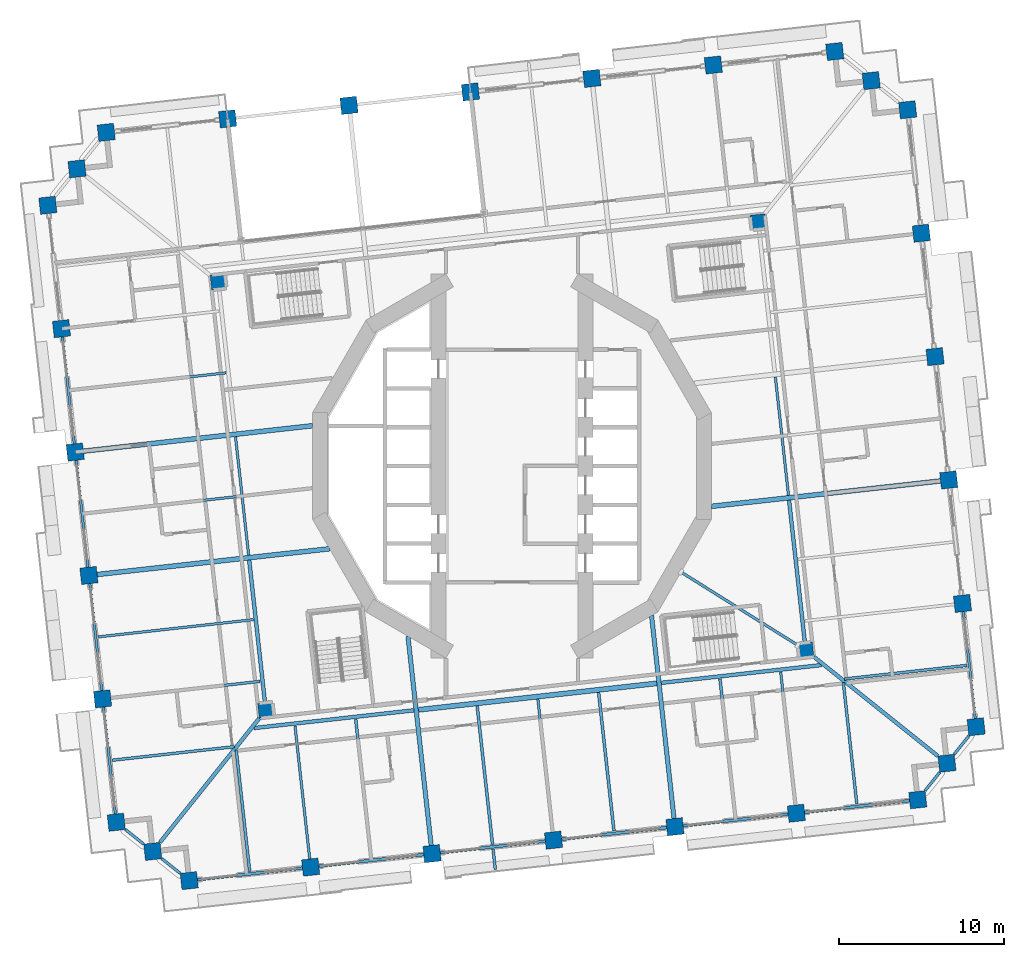
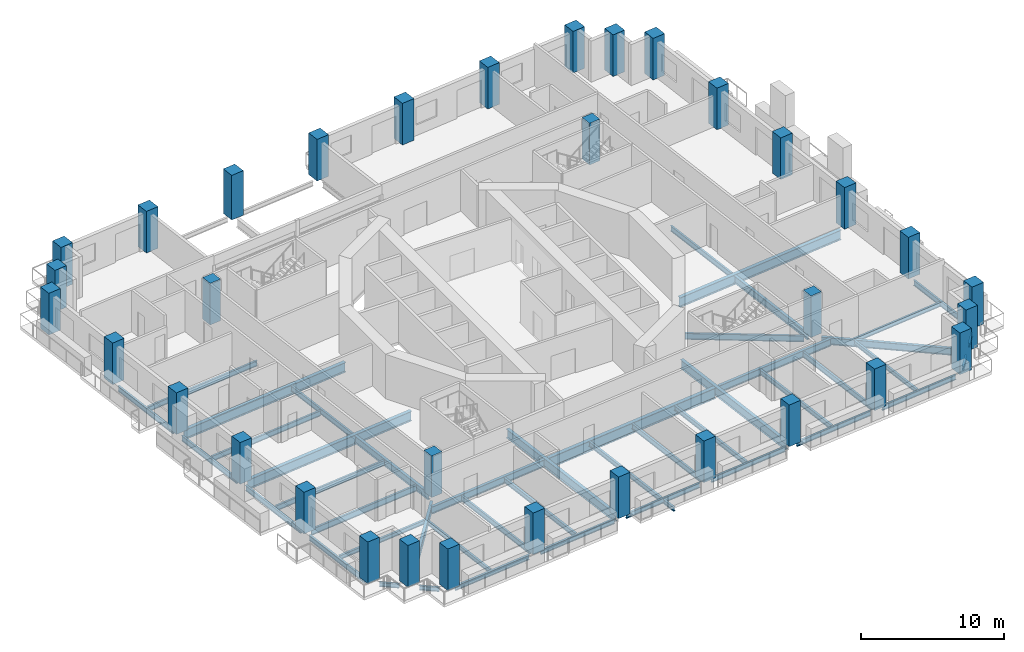
# One storey, part 1 of 21: 46 beams, 34 columns.
"""IFC4 building model written with IfcOpenShell, lengths in metres."""

from ifc_helpers import new_model, si_unit, direction, frame, origin, origin_2d, place, context, subcontext, project, spatial, rectangle, i_section, extrude, material, material_profile, profile_set, type_object, element, save


model = new_model("IFC4")

# Units and contexts
model_context = context("Model", 3, precision=1e-05, world=origin(), true_north=direction((0.0, 1.0)))
body_context = subcontext(model_context, "Body", "Model", "MODEL_VIEW")
ifc_project = project(units=[si_unit("LENGTHUNIT", "METRE"), si_unit("AREAUNIT", "SQUARE_METRE"), si_unit("VOLUMEUNIT", "CUBIC_METRE"), si_unit("PLANEANGLEUNIT", "RADIAN"), si_unit("MASSUNIT", "GRAM", prefix="KILO")], contexts=[model_context])

# Site, building, storey
site_placement = place(None, origin())
site = spatial("IfcSite", under=ifc_project, at=site_placement, CompositionType="ELEMENT")
building_placement = place(site_placement, origin())
building = spatial("IfcBuilding", under=site, at=building_placement, Name="Cantera Rosa Tower", CompositionType="ELEMENT")
storey_placement = place(building_placement, frame((0.0, 0.0, 57.699951171875)))
storey = spatial("IfcBuildingStorey", under=building, at=storey_placement, Name="L11", CompositionType="ELEMENT", Elevation=57.699951171875)

# Columns
ifc_material_1 = material(Name="Concrete C70/85", Category="concrete")
ifc_material_profile_1 = material_profile(ifc_material_1, rectangle(XDim=1.0, YDim=1.0, at=origin_2d()), Name="RC COLUMN RC1000X1000 C70/85")
ifc_profile_set_1 = profile_set([ifc_material_profile_1], Name="Concrete C70/85")
column_type_1 = type_object("IfcColumnType", Name="RC COLUMN RC1000X1000 C70/85", PredefinedType="COLUMN", material=ifc_profile_set_1)
for number, where, z_axis, x_axis, name in (
    (1, (28.114013671875, -15.795166015625, 0.0), (0.0, 0.0, 1.0), (0.993896946415, 0.110312555526, 0.0), "C-Z1-01 L11"),
    (2, (27.284423828125, -8.321044921875, 0.0), (0.0, 0.0, 1.0), (0.993896946415, 0.110312555526, 0.0), "C-Z1-02 L11"),
    (3, (26.454833984375, -0.846923828125, 0.0), (0.0, 0.0, 1.0), (0.993896946415, 0.110312555526, 0.0), "C-Z1-03 L11"),
    (4, (25.625244140625, 6.627197265625, 0.0), (0.0, 0.0, 1.0), (0.993896946415, 0.110312555526, 0.0), "C-Z1-04 L11"),
    (5, (24.795654296875, 14.101318359375, 0.0), (0.0, 0.0, 1.0), (0.993896946415, 0.110312555526, 0.0), "C-Z1-05 L11"),
    (6, (23.96630859375, 21.575439453125, 0.0), (0.0, 0.0, 1.0), (0.993896946415, 0.110312555526, 0.0), "C-Z1-06 L11"),
    (7, (21.7578125, 23.342529296875, 0.0), (0.0, 0.0, 1.0), (0.993896946415, 0.110312555526, 0.0), "C-Z1-07 L11"),
    (8, (19.54931640625, 25.10986328125, 0.0), (0.0, 0.0, 1.0), (0.993896946415, 0.110312555526, 0.0), "C-Z1-08 L11"),
    (9, (12.194580078125, 24.29345703125, 0.0), (0.0, 0.0, 1.0), (0.993896946415, 0.110312555526, 0.0), "C-Z1-09 L11"),
    (10, (4.839599609375, 23.47705078125, 0.0), (0.0, 0.0, 1.0), (0.993896946415, 0.110312555526, 0.0), "C-Z1-10 L11"),
    (11, (-2.51513671875, 22.660888671875, 0.0), (0.0, 0.0, 1.0), (0.993896946415, 0.110312555526, 0.0), "C-Z1-11 L11"),
):
    element("IfcColumn", number, at=place(storey_placement, frame(where, z_axis=z_axis, x_axis=x_axis)), inside=storey, type_object=column_type_1, Name=name, PredefinedType="COLUMN", context=body_context, shape_type="SweptSolid", body=[
        extrude(rectangle(XDim=1.0, YDim=1.0, at=origin_2d()), origin(), (0.0, 0.0, 1.0), 3.550048828125),
    ])
column_placement = place(storey_placement, frame((-9.869873046875, 21.844482421875, -0.25), z_axis=(0.0, 0.0, 1.0), x_axis=(0.993896946415, 0.110312555526, 0.0)))
element("IfcColumn", 12, at=column_placement, inside=storey, type_object=column_type_1, Name="C-Z1-12 L11", PredefinedType="COLUMN", context=body_context, shape_type="SweptSolid", body=[
    extrude(rectangle(XDim=1.0, YDim=1.0, at=origin_2d()), origin(), (0.0, 0.0, 1.0), 3.800048828125),
])
for number, where, z_axis, x_axis, name in (
    (13, (-17.224853515625, 21.0283203125, 0.0), (0.0, 0.0, 1.0), (0.993896946415, 0.110312555526, 0.0), "C-Z1-13 L11"),
    (14, (-24.57958984375, 20.2119140625, 0.0), (0.0, 0.0, 1.0), (0.993896946415, 0.110312555526, 0.0), "C-Z1-14 L11"),
    (15, (-26.346923828125, 18.00341796875, 0.0), (0.0, 0.0, 1.0), (0.993896946415, 0.110312555526, 0.0), "C-Z1-15 L11"),
    (16, (-28.114013671875, 15.795166015625, 0.0), (0.0, 0.0, 1.0), (0.993896946415, 0.110312555526, 0.0), "C-Z1-16 L11"),
    (17, (-27.284423828125, 8.321044921875, 0.0), (0.0, 0.0, 1.0), (0.993896946415, 0.110312555526, 0.0), "C-Z1-17 L11"),
    (18, (-26.454833984375, 0.846923828125, 0.0), (0.0, 0.0, 1.0), (0.993896946415, 0.110312555526, 0.0), "C-Z1-18 L11"),
    (19, (-25.625244140625, -6.627197265625, 0.0), (0.0, 0.0, 1.0), (0.993896946415, 0.110312555526, 0.0), "C-Z1-19 L11"),
    (20, (-24.795654296875, -14.101318359375, 0.0), (0.0, 0.0, 1.0), (0.993896946415, 0.110312555526, 0.0), "C-Z1-20 L11"),
    (21, (-23.96630859375, -21.575439453125, 0.0), (0.0, 0.0, 1.0), (0.993896946415, 0.110312555526, 0.0), "C-Z1-21 L11"),
    (22, (-21.7578125, -23.342529296875, 0.0), (0.0, 0.0, 1.0), (0.993896946415, 0.110312555526, 0.0), "C-Z1-22 L11"),
    (23, (-19.54931640625, -25.10986328125, 0.0), (0.0, 0.0, 1.0), (0.993896946415, 0.110312555526, 0.0), "C-Z1-23 L11"),
    (24, (-12.194580078125, -24.29345703125, 0.0), (0.0, 0.0, 1.0), (0.993896946415, 0.110312555526, 0.0), "C-Z1-24 L11"),
    (25, (-4.839599609375, -23.47705078125, 0.0), (0.0, 0.0, 1.0), (0.993896946415, 0.110312555526, 0.0), "C-Z1-25 L11"),
    (26, (2.51513671875, -22.660888671875, 0.0), (0.0, 0.0, 1.0), (0.993896946415, 0.110312555526, 0.0), "C-Z1-26 L11"),
    (27, (9.869873046875, -21.844482421875, 0.0), (0.0, 0.0, 1.0), (0.993896946415, 0.110312555526, 0.0), "C-Z1-27 L11"),
    (28, (17.224853515625, -21.0283203125, 0.0), (0.0, 0.0, 1.0), (0.993896946415, 0.110312555526, 0.0), "C-Z1-28 L11"),
    (29, (24.57958984375, -20.2119140625, 0.0), (0.0, 0.0, 1.0), (0.993896946415, 0.110312555526, 0.0), "C-Z1-29 L11"),
    (30, (26.346923828125, -18.00341796875, 0.0), (0.0, 0.0, 1.0), (0.993896946415, 0.110312555526, 0.0), "C-Z1-30 L11"),
):
    element("IfcColumn", number, at=place(storey_placement, frame(where, z_axis=z_axis, x_axis=x_axis)), inside=storey, type_object=column_type_1, Name=name, PredefinedType="COLUMN", context=body_context, shape_type="SweptSolid", body=[
        extrude(rectangle(XDim=1.0, YDim=1.0, at=origin_2d()), origin(), (0.0, 0.0, 1.0), 3.550048828125),
    ])
ifc_material_2 = material(Name="Concrete C70/85", Category="concrete")
ifc_material_profile_2 = material_profile(ifc_material_2, rectangle(XDim=0.89990234375, YDim=0.89990234375, at=origin_2d()), Name="RC RING COLUMN RC900X900 C70/85")
ifc_profile_set_2 = profile_set([ifc_material_profile_2], Name="Concrete C70/85")
column_type_2 = type_object("IfcColumnType", Name="RC RING COLUMN RC900X900 C70/85", PredefinedType="COLUMN", material=ifc_profile_set_2)
for number, where, z_axis, x_axis, name in (
    (31, (14.909912109375, 14.784912109375, 0.0), (0.0, 0.0, 1.0), (0.993896946415, 0.110312555526, 0.0), "CI-Z1-1 L11"),
    (32, (-17.7890625, 11.15576171875, 0.0), (0.0, 0.0, 1.0), (0.993896946415, 0.110312555526, 0.0), "CI-Z1-2 L11"),
    (33, (-14.909912109375, -14.784912109375, 0.0), (0.0, 0.0, 1.0), (0.993896946415, 0.110312555526, 0.0), "CI-Z1-3 L11"),
    (34, (17.7890625, -11.15576171875, 0.0), (0.0, 0.0, 1.0), (0.993896946415, 0.110312555526, 0.0), "CI-Z1-4 L11"),
):
    element("IfcColumn", number, at=place(storey_placement, frame(where, z_axis=z_axis, x_axis=x_axis)), inside=storey, type_object=column_type_2, Name=name, PredefinedType="COLUMN", context=body_context, shape_type="SweptSolid", body=[
        extrude(rectangle(XDim=0.89990234375, YDim=0.89990234375, at=origin_2d()), origin(), (0.0, 0.0, 1.0), 3.550048828125),
    ])

# Beams
ifc_material_3 = material(Name="Steel ASTM A992 (Fy 345 MPa)", Category="steel")
ifc_material_profile_3 = material_profile(ifc_material_3, i_section(OverallWidth=0.154052734375, OverallDepth=0.4599609375, WebThickness=0.009033203125, FlangeThickness=0.015380859375, FilletRadius=0.01025390625, at=origin_2d()), Name="W460X68")
ifc_profile_set_3 = profile_set([ifc_material_profile_3], Name="Steel ASTM A992 (Fy 345 MPa)")
beam_type_1 = type_object("IfcBeamType", Name="STEEL BEAM W460X68", PredefinedType="BEAM", material=ifc_profile_set_3)
beam_1_placement = place(storey_placement, frame((-12.249755859375, -23.796630859375, -0.47998046875), z_axis=(-0.110312435488, 0.993896959738, 0.0), x_axis=(-0.993896959738, -0.110312435488, 0.0)))
element("IfcBeam", 35, at=beam_1_placement, inside=storey, type_object=beam_type_1, Name="G-Z1-10 L11", PredefinedType="BEAM", context=body_context, shape_type="SweptSolid", body=[
    extrude(i_section(OverallWidth=0.154052734375, OverallDepth=0.4599609375, WebThickness=0.009033203125, FlangeThickness=0.015380859375, FilletRadius=0.01025390625, at=origin_2d()), origin(), (0.0, 0.0, 1.0), 8.10009765625),
])
for number, where, z_axis, x_axis, name in (
    (36, (2.4599609375, -22.163818359375, -0.47998046875), (-0.110315740112, 0.993896592953, 0.0), (-0.993896592953, -0.110315740112, 0.0), "G-Z1-12 L11"),
    (37, (17.169677734375, -20.53125, -0.47998046875), (-0.110315740112, 0.993896592953, 0.0), (-0.993896592953, -0.110315740112, 0.0), "G-Z1-14 L11"),
):
    element("IfcBeam", number, at=place(storey_placement, frame(where, z_axis=z_axis, x_axis=x_axis)), inside=storey, type_object=beam_type_1, Name=name, PredefinedType="BEAM", context=body_context, shape_type="SweptSolid", body=[
        extrude(i_section(OverallWidth=0.154052734375, OverallDepth=0.4599609375, WebThickness=0.009033203125, FlangeThickness=0.015380859375, FilletRadius=0.01025390625, at=origin_2d()), origin(), (0.0, 0.0, 1.0), 8.099853515625),
    ])
for number, where, z_axis, x_axis, name in (
    (38, (16.747802734375, -1.7734375, -0.47998046875), (-0.110301629462, 0.993898159037, 0.0), (-0.993898159037, -0.110301629462, 0.0), "RB-Z1-08 L11"),
    (39, (-15.951416015625, -5.402587890625, -0.47998046875), (-0.110301629462, 0.993898159037, 0.0), (-0.993898159037, -0.110301629462, 0.0), "RB-Z1-11 L11"),
):
    element("IfcBeam", number, at=place(storey_placement, frame(where, z_axis=z_axis, x_axis=x_axis)), inside=storey, type_object=beam_type_1, Name=name, PredefinedType="BEAM", context=body_context, shape_type="SweptSolid", body=[
        extrude(i_section(OverallWidth=0.154052734375, OverallDepth=0.4599609375, WebThickness=0.009033203125, FlangeThickness=0.015380859375, FilletRadius=0.01025390625, at=origin_2d()), origin(), (0.0, 0.0, 1.0), 7.219970703125),
    ])
ifc_material_4 = material(Name="Steel ASTM A992 (Fy 345 MPa)", Category="steel")
ifc_material_profile_4 = material_profile(ifc_material_4, i_section(OverallWidth=0.166015625, OverallDepth=0.528076171875, WebThickness=0.009765625, FlangeThickness=0.013671875, FilletRadius=0.0126953125, at=origin_2d()), Name="W530X74")
ifc_profile_set_4 = profile_set([ifc_material_profile_4], Name="Steel ASTM A992 (Fy 345 MPa)")
beam_type_2 = type_object("IfcBeamType", Name="STEEL BEAM W530X74", PredefinedType="BEAM", material=ifc_profile_set_4)
beam_2_placement = place(storey_placement, frame((-24.298828125, -14.046142578125, -0.513916015625), z_axis=(0.993896161189, 0.110319630049, 0.0), x_axis=(-0.110319630049, 0.993896161189, 0.0)))
element("IfcBeam", 40, at=beam_2_placement, inside=storey, type_object=beam_type_2, Name="G-Z1-18 L11", PredefinedType="BEAM", context=body_context, shape_type="SweptSolid", body=[
    extrude(i_section(OverallWidth=0.166015625, OverallDepth=0.528076171875, WebThickness=0.009765625, FlangeThickness=0.013671875, FilletRadius=0.0126953125, at=origin_2d()), origin(), (0.0, 0.0, 1.0), 9.10009765625),
])
beam_3_placement = place(storey_placement, frame((17.302490234375, -10.8505859375, -0.513916015625), z_axis=(-0.847189957301, 0.531290105543, 0.0), x_axis=(-0.531290105543, -0.847189957301, 0.0)))
element("IfcBeam", 41, at=beam_3_placement, inside=storey, type_object=beam_type_2, Name="PG-Z1-01 L11", PredefinedType="BEAM", context=body_context, shape_type="SweptSolid", body=[
    extrude(i_section(OverallWidth=0.166015625, OverallDepth=0.528076171875, WebThickness=0.009765625, FlangeThickness=0.013671875, FilletRadius=0.0126953125, at=origin_2d()), origin(), (0.0, 0.0, 1.0), 8.34130859375),
])
ifc_material_5 = material(Name="Steel ASTM A992 (Fy 345 MPa)", Category="steel")
ifc_material_profile_5 = material_profile(ifc_material_5, i_section(OverallWidth=0.22802734375, OverallDepth=0.60205078125, WebThickness=0.010498046875, FlangeThickness=0.014892578125, FilletRadius=0.0126953125, at=origin_2d()), Name="W610X101")
ifc_profile_set_5 = profile_set([ifc_material_profile_5], Name="Steel ASTM A992 (Fy 345 MPa)")
beam_type_3 = type_object("IfcBeamType", Name="STEEL BEAM W610X101", PredefinedType="BEAM", material=ifc_profile_set_5)
beam_4_placement = place(storey_placement, frame((-21.31591796875, -22.79052734375, -0.551025390625), z_axis=(0.624787924463, 0.780794498857, 0.0), x_axis=(-0.780794498857, 0.624787924463, 0.0)))
element("IfcBeam", 42, at=beam_4_placement, inside=storey, type_object=beam_type_3, Name="CB-Z1-03 L11", PredefinedType="BEAM", context=body_context, shape_type="SweptSolid", body=[
    extrude(i_section(OverallWidth=0.22802734375, OverallDepth=0.60205078125, WebThickness=0.010498046875, FlangeThickness=0.014892578125, FilletRadius=0.0126953125, at=origin_2d()), origin(), (0.0, 0.0, 1.0), 9.616455078125),
])
beam_5_placement = place(storey_placement, frame((25.794677734375, -17.561767578125, -0.551025390625), z_axis=(-0.78078211406, 0.62480340137, 0.0), x_axis=(-0.62480340137, -0.78078211406, 0.0)))
element("IfcBeam", 43, at=beam_5_placement, inside=storey, type_object=beam_type_3, Name="CB-Z1-04 L11", PredefinedType="BEAM", context=body_context, shape_type="SweptSolid", body=[
    extrude(i_section(OverallWidth=0.22802734375, OverallDepth=0.60205078125, WebThickness=0.010498046875, FlangeThickness=0.014892578125, FilletRadius=0.0126953125, at=origin_2d()), origin(), (0.0, 0.0, 1.0), 9.61669921875),
])
for number, where, z_axis, x_axis, name in (
    (44, (17.739501953125, -10.70849609375, -0.551025390625), (-0.110298932846, 0.993898458301, 0.0), (-0.993898458301, -0.110298932846, 0.0), "RB-Z1-07 L11"),
    (45, (-14.959716796875, -14.337646484375, -0.551025390625), (-0.110298932846, 0.993898458301, 0.0), (-0.993898458301, -0.110298932846, 0.0), "RB-Z1-10 L11"),
):
    element("IfcBeam", number, at=place(storey_placement, frame(where, z_axis=z_axis, x_axis=x_axis)), inside=storey, type_object=beam_type_3, Name=name, PredefinedType="BEAM", context=body_context, shape_type="SweptSolid", body=[
        extrude(i_section(OverallWidth=0.22802734375, OverallDepth=0.60205078125, WebThickness=0.010498046875, FlangeThickness=0.014892578125, FilletRadius=0.0126953125, at=origin_2d()), origin(), (0.0, 0.0, 1.0), 8.68994140625),
    ])
ifc_material_6 = material(Name="Steel ASTM A992 (Fy 345 MPa)", Category="steel")
ifc_material_profile_6 = material_profile(ifc_material_6, i_section(OverallWidth=0.22900390625, OverallDepth=0.612060546875, WebThickness=0.011962890625, FlangeThickness=0.01953125, FilletRadius=0.0126953125, at=origin_2d()), Name="W610X125")
ifc_profile_set_6 = profile_set([ifc_material_profile_6], Name="Steel ASTM A992 (Fy 345 MPa)")
beam_type_4 = type_object("IfcBeamType", Name="STEEL BEAM W610X125", PredefinedType="BEAM", material=ifc_profile_set_6)
beam_6_placement = place(storey_placement, frame((-15.64453125, -15.87255859375, -0.555908203125), z_axis=(0.993898078625, 0.110302354035, 0.0), x_axis=(-0.110302354035, 0.993898078625, 0.0)))
element("IfcBeam", 46, at=beam_6_placement, inside=storey, type_object=beam_type_4, Name="RB-Z1-04 L11", PredefinedType="BEAM", context=body_context, shape_type="SweptSolid", body=[
    extrude(i_section(OverallWidth=0.22900390625, OverallDepth=0.612060546875, WebThickness=0.011962890625, FlangeThickness=0.01953125, FilletRadius=0.0126953125, at=origin_2d()), origin(), (0.0, 0.0, 1.0), 9.75),
])
beam_7_placement = place(storey_placement, frame((9.0537109375, -13.13134765625, -0.555908203125), z_axis=(0.993898383269, 0.110299608956, 0.0), x_axis=(-0.110299608956, 0.993898383269, 0.0)))
element("IfcBeam", 47, at=beam_7_placement, inside=storey, type_object=beam_type_4, Name="RB-Z1-06 L11", PredefinedType="BEAM", context=body_context, shape_type="SweptSolid", body=[
    extrude(i_section(OverallWidth=0.22900390625, OverallDepth=0.612060546875, WebThickness=0.011962890625, FlangeThickness=0.01953125, FilletRadius=0.0126953125, at=origin_2d()), origin(), (0.0, 0.0, 1.0), 9.750244140625),
])
ifc_material_7 = material(Name="Steel ASTM A992 (Fy 345 MPa)", Category="steel")
ifc_material_profile_7 = material_profile(ifc_material_7, i_section(OverallWidth=0.26708984375, OverallDepth=0.75390625, WebThickness=0.01318359375, FlangeThickness=0.01708984375, FilletRadius=0.0166015625, at=origin_2d()), Name="W760X147")
ifc_profile_set_7 = profile_set([ifc_material_profile_7], Name="Steel ASTM A992 (Fy 345 MPa)")
beam_type_5 = type_object("IfcBeamType", Name="STEEL BEAM W760X147", PredefinedType="BEAM", material=ifc_profile_set_7)
beam_8_placement = place(storey_placement, frame((-4.894775390625, -22.980224609375, -0.626953125), z_axis=(-0.11031177493, 0.993897033053, 0.0), x_axis=(-0.993897033053, -0.11031177493, 0.0)))
element("IfcBeam", 48, at=beam_8_placement, inside=storey, type_object=beam_type_5, Name="G-Z1-11 L11", PredefinedType="BEAM", context=body_context, shape_type="SweptSolid", body=[
    extrude(i_section(OverallWidth=0.26708984375, OverallDepth=0.75390625, WebThickness=0.01318359375, FlangeThickness=0.01708984375, FilletRadius=0.0166015625, at=origin_2d()), origin(), (0.0, 0.0, 1.0), 12.754638671875),
])
beam_9_placement = place(storey_placement, frame((9.814697265625, -21.34765625, -0.626953125), z_axis=(-0.110292782244, 0.993899140851, 0.0), x_axis=(-0.993899140851, -0.110292782244, 0.0)))
element("IfcBeam", 49, at=beam_9_placement, inside=storey, type_object=beam_type_5, Name="G-Z1-13 L11", PredefinedType="BEAM", context=body_context, shape_type="SweptSolid", body=[
    extrude(i_section(OverallWidth=0.26708984375, OverallDepth=0.75390625, WebThickness=0.01318359375, FlangeThickness=0.01708984375, FilletRadius=0.0166015625, at=origin_2d()), origin(), (0.0, 0.0, 1.0), 12.360595703125),
])
ifc_material_8 = material(Name="Steel ASTM A992 (Fy 345 MPa)", Category="steel")
ifc_material_profile_8 = material_profile(ifc_material_8, i_section(OverallWidth=0.2919921875, OverallDepth=0.8359375, WebThickness=0.013916015625, FlangeThickness=0.018798828125, FilletRadius=0.017822265625, at=origin_2d()), Name="W840X176")
ifc_profile_set_8 = profile_set([ifc_material_profile_8], Name="Steel ASTM A992 (Fy 345 MPa)")
beam_type_6 = type_object("IfcBeamType", Name="STEEL BEAM W840X176", PredefinedType="BEAM", material=ifc_profile_set_8)
for number, where, z_axis, x_axis, name in (
    (50, (25.9580078125, -0.902099609375, -0.66796875), (-0.993898644981, -0.110297250672, 0.0), (0.110297250672, -0.993898644981, 0.0), "G-Z1-02 L11"),
    (51, (-25.9580078125, 0.902099609375, -0.66796875), (0.993898644981, 0.110297250672, 0.0), (-0.110297250672, 0.993898644981, 0.0), "G-Z1-16 L11"),
):
    element("IfcBeam", number, at=place(storey_placement, frame(where, z_axis=z_axis, x_axis=x_axis)), inside=storey, type_object=beam_type_6, Name=name, PredefinedType="BEAM", context=body_context, shape_type="SweptSolid", body=[
        extrude(i_section(OverallWidth=0.2919921875, OverallDepth=0.8359375, WebThickness=0.013916015625, FlangeThickness=0.018798828125, FilletRadius=0.017822265625, at=origin_2d()), origin(), (0.0, 0.0, 1.0), 13.96923828125),
    ])
beam_10_placement = place(storey_placement, frame((-25.12841796875, -6.572021484375, -0.66796875), z_axis=(0.993897599241, 0.110306673519, 0.0), x_axis=(-0.110306673519, 0.993897599241, 0.0)))
element("IfcBeam", 52, at=beam_10_placement, inside=storey, type_object=beam_type_6, Name="G-Z1-17 L11", PredefinedType="BEAM", context=body_context, shape_type="SweptSolid", body=[
    extrude(i_section(OverallWidth=0.2919921875, OverallDepth=0.8359375, WebThickness=0.013916015625, FlangeThickness=0.018798828125, FilletRadius=0.017822265625, at=origin_2d()), origin(), (0.0, 0.0, 1.0), 14.1650390625),
])
ifc_material_9 = material(Name="Steel ASTM A992 (Fy 345 MPa)", Category="steel")
ifc_material_profile_9 = material_profile(ifc_material_9, i_section(OverallWidth=0.304931640625, OverallDepth=0.9189453125, WebThickness=0.017333984375, FlangeThickness=0.02783203125, FilletRadius=0.01904296875, at=origin_2d()), Name="W920X253")
ifc_profile_set_9 = profile_set([ifc_material_profile_9], Name="Steel ASTM A992 (Fy 345 MPa)")
beam_type_7 = type_object("IfcBeamType", Name="STEEL BEAM W920X253", PredefinedType="BEAM", material=ifc_profile_set_9)
beam_11_placement = place(storey_placement, frame((-5.65576171875, -14.763916015625, -0.70947265625), z_axis=(0.993898099692, 0.110302164209, 0.0), x_axis=(-0.110302164209, 0.993898099692, 0.0)))
element("IfcBeam", 53, at=beam_11_placement, inside=storey, type_object=beam_type_7, Name="RB-Z1-05 L11", PredefinedType="BEAM", context=body_context, shape_type="SweptSolid", body=[
    extrude(i_section(OverallWidth=0.304931640625, OverallDepth=0.9189453125, WebThickness=0.017333984375, FlangeThickness=0.02783203125, FilletRadius=0.01904296875, at=origin_2d()), origin(), (0.0, 0.0, 1.0), 14.499755859375),
])
ifc_material_10 = material(Name="Steel ASTM A992 (Fy 345 MPa)", Category="steel")
ifc_material_profile_10 = material_profile(ifc_material_10, i_section(OverallWidth=0.1708984375, OverallDepth=0.35595703125, WebThickness=0.00732421875, FlangeThickness=0.01171875, FilletRadius=0.010009765625, at=origin_2d()), Name="W360X51")
ifc_profile_set_10 = profile_set([ifc_material_profile_10], Name="Steel ASTM A992 (Fy 345 MPa)")
beam_type_8 = type_object("IfcBeamType", Name="STEEL JOIST W360X51", PredefinedType="JOIST", material=ifc_profile_set_10)
beam_12_placement = place(storey_placement, frame((27.550048828125, -12.074462890625, -0.427978515625), z_axis=(-0.993895702238, -0.110323764768, 0.0), x_axis=(0.110323764768, -0.993895702238, 0.0)))
element("IfcBeam", 54, at=beam_12_placement, inside=storey, type_object=beam_type_8, Name="B-Z1-01 L11", PredefinedType="JOIST", context=body_context, shape_type="SweptSolid", body=[
    extrude(i_section(OverallWidth=0.1708984375, OverallDepth=0.35595703125, WebThickness=0.00732421875, FlangeThickness=0.01171875, FilletRadius=0.010009765625, at=origin_2d()), origin(), (0.0, 0.0, 1.0), 7.4599609375),
])
for number, where, z_axis, x_axis, name in (
    (55, (-15.888427734375, -24.552490234375, -0.427978515625), (-0.110326513132, 0.993895397162, 0.0), (-0.993895397162, -0.110326513132, 0.0), "B-Z1-12 L11"),
    (56, (20.8857421875, -20.470947265625, -0.427978515625), (-0.110326513132, 0.993895397162, 0.0), (-0.993895397162, -0.110326513132, 0.0), "B-Z1-17 L11"),
):
    element("IfcBeam", number, at=place(storey_placement, frame(where, z_axis=z_axis, x_axis=x_axis)), inside=storey, type_object=beam_type_8, Name=name, PredefinedType="JOIST", context=body_context, shape_type="SweptSolid", body=[
        extrude(i_section(OverallWidth=0.1708984375, OverallDepth=0.35595703125, WebThickness=0.00732421875, FlangeThickness=0.01171875, FilletRadius=0.010009765625, at=origin_2d()), origin(), (0.0, 0.0, 1.0), 7.39990234375),
    ])
beam_13_placement = place(storey_placement, frame((-24.23193359375, -17.82177734375, -0.427978515625), z_axis=(0.993899688369, 0.110287848199, 0.0), x_axis=(-0.110287848199, 0.993899688369, 0.0)))
element("IfcBeam", 57, at=beam_13_placement, inside=storey, type_object=beam_type_8, Name="B-Z1-22 L11", PredefinedType="JOIST", context=body_context, shape_type="SweptSolid", body=[
    extrude(i_section(OverallWidth=0.1708984375, OverallDepth=0.35595703125, WebThickness=0.00732421875, FlangeThickness=0.01171875, FilletRadius=0.010009765625, at=origin_2d()), origin(), (0.0, 0.0, 1.0), 7.4599609375),
])
beam_14_placement = place(storey_placement, frame((-1.14794921875, -23.1982421875, -0.427978515625), z_axis=(0.110345783203, -0.993893257915, 0.0), x_axis=(0.993893257915, 0.110345783203, 0.0)))
element("IfcBeam", 58, at=beam_14_placement, inside=storey, type_object=beam_type_8, Name="BS-Z1-08 L11", PredefinedType="JOIST", context=body_context, shape_type="SweptSolid", body=[
    extrude(i_section(OverallWidth=0.1708984375, OverallDepth=0.35595703125, WebThickness=0.00732421875, FlangeThickness=0.01171875, FilletRadius=0.010009765625, at=origin_2d()), origin(), (0.0, 0.0, 1.0), 1.25),
])
ifc_material_11 = material(Name="Steel ASTM A992 (Fy 345 MPa)", Category="steel")
ifc_material_profile_11 = material_profile(ifc_material_11, i_section(OverallWidth=0.177978515625, OverallDepth=0.406005859375, WebThickness=0.0078125, FlangeThickness=0.0126953125, FilletRadius=0.01025390625, at=origin_2d()), Name="W410X60")
ifc_profile_set_11 = profile_set([ifc_material_profile_11], Name="Steel ASTM A992 (Fy 345 MPa)")
beam_type_9 = type_object("IfcBeamType", Name="STEEL JOIST W410X60", PredefinedType="JOIST", material=ifc_profile_set_11)
for number, where, z_axis, x_axis, name in (
    (59, (-8.53369140625, -23.736328125, -0.452880859375), (-0.110311022989, 0.99389711651, 0.0), (-0.99389711651, -0.110311022989, 0.0), "B-Z1-13 L11"),
    (60, (-1.178955078125, -22.919921875, -0.452880859375), (-0.110311022989, 0.99389711651, 0.0), (-0.99389711651, -0.110311022989, 0.0), "B-Z1-14 L11"),
    (61, (6.176025390625, -22.103515625, -0.452880859375), (-0.110311022989, 0.99389711651, 0.0), (-0.99389711651, -0.110311022989, 0.0), "B-Z1-15 L11"),
    (62, (13.53076171875, -21.287353515625, -0.452880859375), (-0.110311022989, 0.99389711651, 0.0), (-0.99389711651, -0.110311022989, 0.0), "B-Z1-16 L11"),
):
    element("IfcBeam", number, at=place(storey_placement, frame(where, z_axis=z_axis, x_axis=x_axis)), inside=storey, type_object=beam_type_9, Name=name, PredefinedType="JOIST", context=body_context, shape_type="SweptSolid", body=[
        extrude(i_section(OverallWidth=0.177978515625, OverallDepth=0.406005859375, WebThickness=0.0078125, FlangeThickness=0.0126953125, FilletRadius=0.01025390625, at=origin_2d()), origin(), (0.0, 0.0, 1.0), 8.449951171875),
    ])
ifc_material_12 = material(Name="Steel ASTM A992 (Fy 345 MPa)", Category="steel")
ifc_material_profile_12 = material_profile(ifc_material_12, i_section(OverallWidth=0.154052734375, OverallDepth=0.4599609375, WebThickness=0.009033203125, FlangeThickness=0.015380859375, FilletRadius=0.01025390625, at=origin_2d()), Name="W460X68")
ifc_profile_set_12 = profile_set([ifc_material_profile_12], Name="Steel ASTM A992 (Fy 345 MPa)")
beam_type_10 = type_object("IfcBeamType", Name="STEEL JOIST W460X68", PredefinedType="JOIST", material=ifc_profile_set_12)
for number, where, z_axis, x_axis, name in (
    (63, (-26.720458984375, 4.600341796875, -0.47998046875), (0.993896645353, 0.110315268011, 0.0), (-0.110315268011, 0.993896645353, 0.0), "B-Z1-19 L11"),
    (64, (-25.89111328125, -2.87353515625, -0.47998046875), (0.993899477629, 0.110289747342, 0.0), (-0.110289747342, 0.993899477629, 0.0), "B-Z1-20 L11"),
    (65, (-25.0615234375, -10.34765625, -0.47998046875), (0.993896645353, 0.110315268011, 0.0), (-0.110315268011, 0.993896645353, 0.0), "B-Z1-21 L11"),
):
    element("IfcBeam", number, at=place(storey_placement, frame(where, z_axis=z_axis, x_axis=x_axis)), inside=storey, type_object=beam_type_10, Name=name, PredefinedType="JOIST", context=body_context, shape_type="SweptSolid", body=[
        extrude(i_section(OverallWidth=0.154052734375, OverallDepth=0.4599609375, WebThickness=0.009033203125, FlangeThickness=0.015380859375, FilletRadius=0.01025390625, at=origin_2d()), origin(), (0.0, 0.0, 1.0), 9.449951171875),
    ])
ifc_material_13 = material(Name="Steel ASTM A992 (Fy 345 MPa)", Category="steel")
ifc_material_profile_13 = material_profile(ifc_material_13, i_section(OverallWidth=0.1708984375, OverallDepth=0.35595703125, WebThickness=0.00732421875, FlangeThickness=0.01171875, FilletRadius=0.010009765625, at=origin_2d()), Name="W360X51")
ifc_profile_set_13 = profile_set([ifc_material_profile_13], Name="Steel ASTM A992 (Fy 345 MPa)")
beam_type_11 = type_object("IfcBeamType", Name="STEEL SPANDREL BEAM W360X51", PredefinedType="SPANDREL", material=ifc_profile_set_13)
for number, where, z_axis, x_axis, name in (
    (66, (-23.4140625, -22.017333984375, -0.427978515625), (0.780818280208, -0.624758203863, 0.0), (0.624758203863, 0.780818280208, 0.0), "EB-Z1-21 L11"),
    (67, (-21.205810546875, -23.784423828125, -0.427978515625), (0.780818280208, -0.624758203863, 0.0), (0.624758203863, 0.780818280208, 0.0), "EB-Z1-22 L11"),
    (68, (25.021484375, -19.659912109375, -0.427978515625), (0.624758203863, 0.780818280208, 0.0), (-0.780818280208, 0.624758203863, 0.0), "EB-Z1-29 L11"),
    (69, (26.78857421875, -17.451416015625, -0.427978515625), (0.624758203863, 0.780818280208, 0.0), (-0.780818280208, 0.624758203863, 0.0), "EB-Z1-30 L11"),
):
    element("IfcBeam", number, at=place(storey_placement, frame(where, z_axis=z_axis, x_axis=x_axis)), inside=storey, type_object=beam_type_11, Name=name, PredefinedType="SPANDREL", context=body_context, shape_type="SweptSolid", body=[
        extrude(i_section(OverallWidth=0.1708984375, OverallDepth=0.35595703125, WebThickness=0.00732421875, FlangeThickness=0.01171875, FilletRadius=0.010009765625, at=origin_2d()), origin(), (0.0, 0.0, 1.0), 1.414306640625),
    ])
ifc_material_14 = material(Name="Steel ASTM A992 (Fy 345 MPa)", Category="steel")
ifc_material_profile_14 = material_profile(ifc_material_14, i_section(OverallWidth=0.177978515625, OverallDepth=0.406005859375, WebThickness=0.0078125, FlangeThickness=0.0126953125, FilletRadius=0.01025390625, at=origin_2d()), Name="W410X60")
ifc_profile_set_14 = profile_set([ifc_material_profile_14], Name="Steel ASTM A992 (Fy 345 MPa)")
beam_type_12 = type_object("IfcBeamType", Name="STEEL SPANDREL BEAM W410X60", PredefinedType="SPANDREL", material=ifc_profile_set_14)
beam_15_placement = place(storey_placement, frame((-19.052490234375, -25.0546875, -0.452880859375), z_axis=(0.993896288542, 0.110318482689, 0.0), x_axis=(-0.110318482689, 0.993896288542, 0.0)))
element("IfcBeam", 70, at=beam_15_placement, inside=storey, type_object=beam_type_12, Name="EB-Z1-23 L11", PredefinedType="SPANDREL", context=body_context, shape_type="SweptSolid", body=[
    extrude(i_section(OverallWidth=0.177978515625, OverallDepth=0.406005859375, WebThickness=0.0078125, FlangeThickness=0.0126953125, FilletRadius=0.01025390625, at=origin_2d()), origin(), (0.0, 0.0, 1.0), 6.400146484375),
])
for number, where, z_axis, x_axis, name in (
    (71, (-11.697509765625, -24.23828125, -0.452880859375), (0.993895824271, 0.110322665379, 0.0), (-0.110322665379, 0.993895824271, 0.0), "EB-Z1-24 L11"),
    (72, (-4.3427734375, -23.422119140625, -0.452880859375), (0.993895824271, 0.110322665379, 0.0), (-0.110322665379, 0.993895824271, 0.0), "EB-Z1-25 L11"),
):
    element("IfcBeam", number, at=place(storey_placement, frame(where, z_axis=z_axis, x_axis=x_axis)), inside=storey, type_object=beam_type_12, Name=name, PredefinedType="SPANDREL", context=body_context, shape_type="SweptSolid", body=[
        extrude(i_section(OverallWidth=0.177978515625, OverallDepth=0.406005859375, WebThickness=0.0078125, FlangeThickness=0.0126953125, FilletRadius=0.01025390625, at=origin_2d()), origin(), (0.0, 0.0, 1.0), 6.39990234375),
    ])
beam_16_placement = place(storey_placement, frame((3.011962890625, -22.605712890625, -0.452880859375), z_axis=(0.993896288542, 0.110318482689, 0.0), x_axis=(-0.110318482689, 0.993896288542, 0.0)))
element("IfcBeam", 73, at=beam_16_placement, inside=storey, type_object=beam_type_12, Name="EB-Z1-26 L11", PredefinedType="SPANDREL", context=body_context, shape_type="SweptSolid", body=[
    extrude(i_section(OverallWidth=0.177978515625, OverallDepth=0.406005859375, WebThickness=0.0078125, FlangeThickness=0.0126953125, FilletRadius=0.01025390625, at=origin_2d()), origin(), (0.0, 0.0, 1.0), 6.400146484375),
])
beam_17_placement = place(storey_placement, frame((10.366943359375, -21.789306640625, -0.452880859375), z_axis=(0.993900006422, 0.110284981906, 0.0), x_axis=(-0.110284981906, 0.993900006422, 0.0)))
element("IfcBeam", 74, at=beam_17_placement, inside=storey, type_object=beam_type_12, Name="EB-Z1-27 L11", PredefinedType="SPANDREL", context=body_context, shape_type="SweptSolid", body=[
    extrude(i_section(OverallWidth=0.177978515625, OverallDepth=0.406005859375, WebThickness=0.0078125, FlangeThickness=0.0126953125, FilletRadius=0.01025390625, at=origin_2d()), origin(), (0.0, 0.0, 1.0), 6.39990234375),
])
beam_18_placement = place(storey_placement, frame((17.7216796875, -20.97314453125, -0.452880859375), z_axis=(0.993896288542, 0.110318482689, 0.0), x_axis=(-0.110318482689, 0.993896288542, 0.0)))
element("IfcBeam", 75, at=beam_18_placement, inside=storey, type_object=beam_type_12, Name="EB-Z1-28 L11", PredefinedType="SPANDREL", context=body_context, shape_type="SweptSolid", body=[
    extrude(i_section(OverallWidth=0.177978515625, OverallDepth=0.406005859375, WebThickness=0.0078125, FlangeThickness=0.0126953125, FilletRadius=0.01025390625, at=origin_2d()), origin(), (0.0, 0.0, 1.0), 6.400146484375),
])
ifc_material_15 = material(Name="Steel ASTM A992 (Fy 345 MPa)", Category="steel")
ifc_material_profile_15 = material_profile(ifc_material_15, i_section(OverallWidth=0.154052734375, OverallDepth=0.4599609375, WebThickness=0.009033203125, FlangeThickness=0.015380859375, FilletRadius=0.01025390625, at=origin_2d()), Name="W460X68")
ifc_profile_set_15 = profile_set([ifc_material_profile_15], Name="Steel ASTM A992 (Fy 345 MPa)")
beam_type_13 = type_object("IfcBeamType", Name="STEEL SPANDREL BEAM W460X68", PredefinedType="SPANDREL", material=ifc_profile_set_15)
for number, where, z_axis, x_axis, name in (
    (76, (28.058837890625, -15.298095703125, -0.47998046875), (-0.110312341265, 0.993896970196, 0.0), (-0.993896970196, -0.110312341265, 0.0), "EB-Z1-01 L11"),
    (77, (-27.229248046875, 7.823974609375, -0.47998046875), (0.110312341265, -0.993896970196, 0.0), (0.993896970196, 0.110312341265, 0.0), "EB-Z1-17 L11"),
    (78, (-26.399658203125, 0.349853515625, -0.47998046875), (0.110312341265, -0.993896970196, 0.0), (0.993896970196, 0.110312341265, 0.0), "EB-Z1-18 L11"),
    (79, (-25.570068359375, -7.124267578125, -0.47998046875), (0.110312341265, -0.993896970196, 0.0), (0.993896970196, 0.110312341265, 0.0), "EB-Z1-19 L11"),
    (80, (-24.74072265625, -14.598388671875, -0.47998046875), (0.110312341265, -0.993896970196, 0.0), (0.993896970196, 0.110312341265, 0.0), "EB-Z1-20 L11"),
):
    element("IfcBeam", number, at=place(storey_placement, frame(where, z_axis=z_axis, x_axis=x_axis)), inside=storey, type_object=beam_type_13, Name=name, PredefinedType="SPANDREL", context=body_context, shape_type="SweptSolid", body=[
        extrude(i_section(OverallWidth=0.154052734375, OverallDepth=0.4599609375, WebThickness=0.009033203125, FlangeThickness=0.015380859375, FilletRadius=0.01025390625, at=origin_2d()), origin(), (0.0, 0.0, 1.0), 6.52001953125),
    ])

save(model, "model.ifc")
